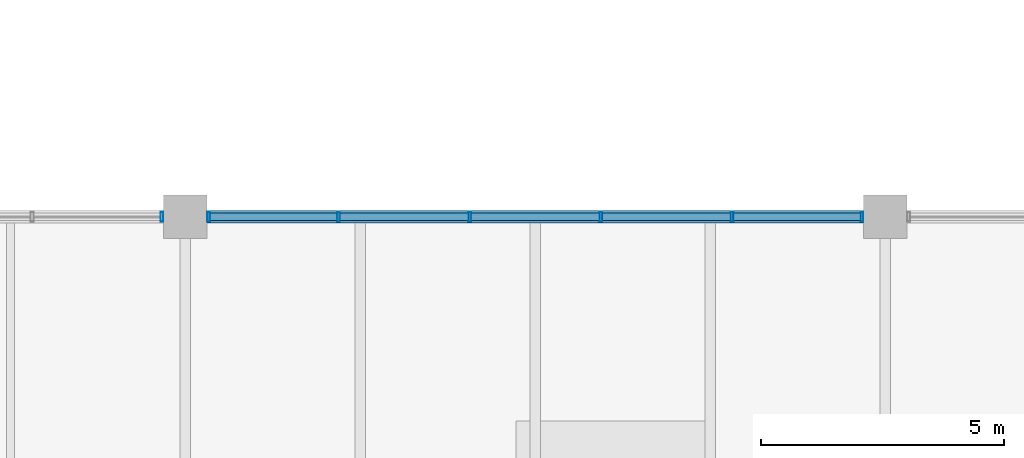
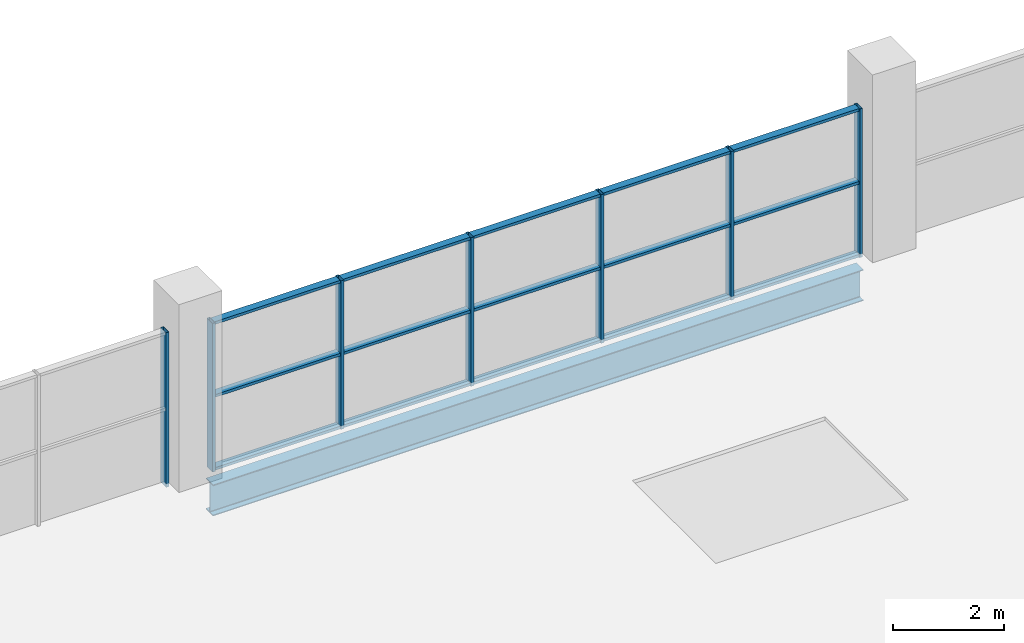
# One storey, part 27 of 93: 22 members, 1 beam, 2 elements without a shape of their own.
"""IFC4 building model written with IfcOpenShell, lengths in metres."""

from ifc_helpers import new_model, si_unit, direction, frame, origin, origin_2d, place, context, subcontext, project, spatial, hollow_rectangle, i_section, extrude, material, material_profile, profile_set, type_object, element, aggregate, save


model = new_model("IFC4")

# Units and contexts
model_context = context("Model", 3, precision=1e-05, world=origin(), true_north=direction((0.0, 1.0)))
body_context = subcontext(model_context, "Body", "Model", "MODEL_VIEW")
ifc_project = project(units=[si_unit("LENGTHUNIT", "METRE"), si_unit("AREAUNIT", "SQUARE_METRE"), si_unit("VOLUMEUNIT", "CUBIC_METRE"), si_unit("PLANEANGLEUNIT", "RADIAN"), si_unit("MASSUNIT", "GRAM", prefix="KILO"), si_unit("THERMODYNAMICTEMPERATUREUNIT", "KELVIN")], contexts=[model_context])

# Site, building, storey
site_placement = place(None, origin())
site = spatial("IfcSite", under=ifc_project, at=site_placement, CompositionType="ELEMENT")
building_placement = place(site_placement, origin())
building = spatial("IfcBuilding", under=site, at=building_placement, Name="Nduvali Passage Aquatics Centre", CompositionType="ELEMENT")
storey_placement = place(building_placement, frame((0.0, 0.0, 9.0)))
storey = spatial("IfcBuildingStorey", under=building, at=storey_placement, Name="L02", CompositionType="ELEMENT", Elevation=9.0)

# Curtain wall, member
ifc_material_1 = material(Name="Aluminium EN AW-6063 T6", Category="aluminium")
curtain_wall_type = type_object("IfcCurtainWallType", Name="ENV-CW-CLER", PredefinedType="NOTDEFINED", material=ifc_material_1)
curtain_wall_1_placement = place(storey_placement, origin())
curtain_wall_1 = element("IfcCurtainWall", 1, at=curtain_wall_1_placement, inside=storey, type_object=curtain_wall_type, Name="L02 South Pool Hall Eave Clerestory 050", PredefinedType="NOTDEFINED")
ifc_material_profile_1 = material_profile(ifc_material_1, hollow_rectangle(XDim=0.06005859375, YDim=0.199951171875, WallThickness=0.00390625, at=origin_2d()), Name="ALU MULLION 60x200x4")
ifc_profile_set_1 = profile_set([ifc_material_profile_1], Name="Aluminium EN AW-6063 T6")
member_type_1 = type_object("IfcMemberType", Name="ENV-MEM-MUL80", PredefinedType="MULLION", material=ifc_profile_set_1)
member_1_placement = place(storey_placement, frame((96.719970703125, 25.199951171875, 0.0), z_axis=(0.0, 0.0, 1.0), x_axis=(1.0, 0.0, 0.0)))
member_1 = element("IfcMember", 2, at=member_1_placement, type_object=member_type_1, Name="South Pool Hall Eave Clerestory Mullion 6", PredefinedType="MULLION", context=body_context, shape_type="SweptSolid", body=[
    extrude(hollow_rectangle(XDim=0.06005859375, YDim=0.199951171875, WallThickness=0.00390625, at=origin_2d()), origin(), (0.0, 0.0, 1.0), 3.39404296875),
])
aggregate(curtain_wall_1, [member_1])

# Curtain wall, members
curtain_wall_2_placement = place(storey_placement, origin())
curtain_wall_2 = element("IfcCurtainWall", 3, at=curtain_wall_2_placement, inside=storey, type_object=curtain_wall_type, Name="L02 South Pool Hall Eave Clerestory 051", PredefinedType="NOTDEFINED")
member_2_placement = place(storey_placement, frame((97.679931640625, 25.199951171875, 0.0), z_axis=(0.0, 0.0, 1.0), x_axis=(1.0, 0.0, 0.0)))
member_2 = element("IfcMember", 4, at=member_2_placement, type_object=member_type_1, Name="South Pool Hall Eave Clerestory Mullion 1", PredefinedType="MULLION", context=body_context, shape_type="SweptSolid", body=[
    extrude(hollow_rectangle(XDim=0.06005859375, YDim=0.199951171875, WallThickness=0.00390625, at=origin_2d()), origin(), (0.0, 0.0, 1.0), 3.2626953125),
])
member_3_placement = place(storey_placement, frame((100.35009765625, 25.199951171875, 0.0), z_axis=(0.0, 0.0, 1.0), x_axis=(1.0, 0.0, 0.0)))
member_3 = element("IfcMember", 5, at=member_3_placement, type_object=member_type_1, Name="South Pool Hall Eave Clerestory Mullion 2", PredefinedType="MULLION", context=body_context, shape_type="SweptSolid", body=[
    extrude(hollow_rectangle(XDim=0.06005859375, YDim=0.199951171875, WallThickness=0.00390625, at=origin_2d()), origin(), (0.0, 0.0, 1.0), 3.2626953125),
])
member_4_placement = place(storey_placement, frame((103.050048828125, 25.199951171875, 0.0), z_axis=(0.0, 0.0, 1.0), x_axis=(1.0, 0.0, 0.0)))
member_4 = element("IfcMember", 6, at=member_4_placement, type_object=member_type_1, Name="South Pool Hall Eave Clerestory Mullion 3", PredefinedType="MULLION", context=body_context, shape_type="SweptSolid", body=[
    extrude(hollow_rectangle(XDim=0.06005859375, YDim=0.199951171875, WallThickness=0.00390625, at=origin_2d()), origin(), (0.0, 0.0, 1.0), 3.2626953125),
])
member_5_placement = place(storey_placement, frame((105.75, 25.199951171875, 0.0), z_axis=(0.0, 0.0, 1.0), x_axis=(1.0, 0.0, 0.0)))
member_5 = element("IfcMember", 7, at=member_5_placement, type_object=member_type_1, Name="South Pool Hall Eave Clerestory Mullion 4", PredefinedType="MULLION", context=body_context, shape_type="SweptSolid", body=[
    extrude(hollow_rectangle(XDim=0.06005859375, YDim=0.199951171875, WallThickness=0.00390625, at=origin_2d()), origin(), (0.0, 0.0, 1.0), 3.2626953125),
])
member_6_placement = place(storey_placement, frame((108.449951171875, 25.199951171875, 0.0), z_axis=(0.0, 0.0, 1.0), x_axis=(1.0, 0.0, 0.0)))
member_6 = element("IfcMember", 8, at=member_6_placement, type_object=member_type_1, Name="South Pool Hall Eave Clerestory Mullion 5", PredefinedType="MULLION", context=body_context, shape_type="SweptSolid", body=[
    extrude(hollow_rectangle(XDim=0.06005859375, YDim=0.199951171875, WallThickness=0.00390625, at=origin_2d()), origin(), (0.0, 0.0, 1.0), 3.2626953125),
])
member_7_placement = place(storey_placement, frame((111.1201171875, 25.199951171875, 0.0), z_axis=(0.0, 0.0, 1.0), x_axis=(1.0, 0.0, 0.0)))
member_7 = element("IfcMember", 9, at=member_7_placement, type_object=member_type_1, Name="South Pool Hall Eave Clerestory Mullion 6", PredefinedType="MULLION", context=body_context, shape_type="SweptSolid", body=[
    extrude(hollow_rectangle(XDim=0.06005859375, YDim=0.199951171875, WallThickness=0.00390625, at=origin_2d()), origin(), (0.0, 0.0, 1.0), 3.2626953125),
])
ifc_material_profile_2 = material_profile(ifc_material_1, hollow_rectangle(XDim=0.14990234375, YDim=0.06005859375, WallThickness=0.00390625, at=origin_2d()), Name="ALU TRANSOM 150x60x4")
ifc_profile_set_2 = profile_set([ifc_material_profile_2], Name="Aluminium EN AW-6063 T6")
member_type_2 = type_object("IfcMemberType", Name="ENV-MEM-TRN80", PredefinedType="USERDEFINED", material=ifc_profile_set_2)
member_8_placement = place(storey_placement, frame((97.7099609375, 25.199951171875, 0.030029296875), z_axis=(1.0, 0.0, 0.0), x_axis=(0.0, 1.0, 0.0)))
member_8 = element("IfcMember", 10, at=member_8_placement, type_object=member_type_2, Name="South Pool Hall Eave Clerestory Transom B1-R0", ObjectType="TRANSOM", PredefinedType="USERDEFINED", context=body_context, shape_type="SweptSolid", body=[
    extrude(hollow_rectangle(XDim=0.14990234375, YDim=0.06005859375, WallThickness=0.00390625, at=origin_2d()), origin(), (0.0, 0.0, 1.0), 2.610107421875),
])
member_9_placement = place(storey_placement, frame((97.7099609375, 25.199951171875, 1.63134765625), z_axis=(1.0, 0.0, 0.0), x_axis=(0.0, 1.0, 0.0)))
member_9 = element("IfcMember", 11, at=member_9_placement, type_object=member_type_2, Name="South Pool Hall Eave Clerestory Transom B1-R1", ObjectType="TRANSOM", PredefinedType="USERDEFINED", context=body_context, shape_type="SweptSolid", body=[
    extrude(hollow_rectangle(XDim=0.14990234375, YDim=0.06005859375, WallThickness=0.00390625, at=origin_2d()), origin(), (0.0, 0.0, 1.0), 2.610107421875),
])
member_10_placement = place(storey_placement, frame((97.7099609375, 25.199951171875, 3.232666015625), z_axis=(1.0, 0.0, 0.0), x_axis=(0.0, 1.0, 0.0)))
member_10 = element("IfcMember", 12, at=member_10_placement, type_object=member_type_2, Name="South Pool Hall Eave Clerestory Transom B1-R2", ObjectType="TRANSOM", PredefinedType="USERDEFINED", context=body_context, shape_type="SweptSolid", body=[
    extrude(hollow_rectangle(XDim=0.14990234375, YDim=0.06005859375, WallThickness=0.00390625, at=origin_2d()), origin(), (0.0, 0.0, 1.0), 2.610107421875),
])
member_11_placement = place(storey_placement, frame((100.3798828125, 25.199951171875, 0.030029296875), z_axis=(1.0, 0.0, 0.0), x_axis=(0.0, 1.0, 0.0)))
member_11 = element("IfcMember", 13, at=member_11_placement, type_object=member_type_2, Name="South Pool Hall Eave Clerestory Transom B2-R0", ObjectType="TRANSOM", PredefinedType="USERDEFINED", context=body_context, shape_type="SweptSolid", body=[
    extrude(hollow_rectangle(XDim=0.14990234375, YDim=0.06005859375, WallThickness=0.00390625, at=origin_2d()), origin(), (0.0, 0.0, 1.0), 2.64013671875),
])
member_12_placement = place(storey_placement, frame((100.3798828125, 25.199951171875, 1.63134765625), z_axis=(1.0, 0.0, 0.0), x_axis=(0.0, 1.0, 0.0)))
member_12 = element("IfcMember", 14, at=member_12_placement, type_object=member_type_2, Name="South Pool Hall Eave Clerestory Transom B2-R1", ObjectType="TRANSOM", PredefinedType="USERDEFINED", context=body_context, shape_type="SweptSolid", body=[
    extrude(hollow_rectangle(XDim=0.14990234375, YDim=0.06005859375, WallThickness=0.00390625, at=origin_2d()), origin(), (0.0, 0.0, 1.0), 2.64013671875),
])
member_13_placement = place(storey_placement, frame((100.3798828125, 25.199951171875, 3.232666015625), z_axis=(1.0, 0.0, 0.0), x_axis=(0.0, 1.0, 0.0)))
member_13 = element("IfcMember", 15, at=member_13_placement, type_object=member_type_2, Name="South Pool Hall Eave Clerestory Transom B2-R2", ObjectType="TRANSOM", PredefinedType="USERDEFINED", context=body_context, shape_type="SweptSolid", body=[
    extrude(hollow_rectangle(XDim=0.14990234375, YDim=0.06005859375, WallThickness=0.00390625, at=origin_2d()), origin(), (0.0, 0.0, 1.0), 2.64013671875),
])
member_14_placement = place(storey_placement, frame((103.080078125, 25.199951171875, 0.030029296875), z_axis=(1.0, 0.0, 0.0), x_axis=(0.0, 1.0, 0.0)))
member_14 = element("IfcMember", 16, at=member_14_placement, type_object=member_type_2, Name="South Pool Hall Eave Clerestory Transom B3-R0", ObjectType="TRANSOM", PredefinedType="USERDEFINED", context=body_context, shape_type="SweptSolid", body=[
    extrude(hollow_rectangle(XDim=0.14990234375, YDim=0.06005859375, WallThickness=0.00390625, at=origin_2d()), origin(), (0.0, 0.0, 1.0), 2.639892578125),
])
member_15_placement = place(storey_placement, frame((103.080078125, 25.199951171875, 1.63134765625), z_axis=(1.0, 0.0, 0.0), x_axis=(0.0, 1.0, 0.0)))
member_15 = element("IfcMember", 17, at=member_15_placement, type_object=member_type_2, Name="South Pool Hall Eave Clerestory Transom B3-R1", ObjectType="TRANSOM", PredefinedType="USERDEFINED", context=body_context, shape_type="SweptSolid", body=[
    extrude(hollow_rectangle(XDim=0.14990234375, YDim=0.06005859375, WallThickness=0.00390625, at=origin_2d()), origin(), (0.0, 0.0, 1.0), 2.639892578125),
])
member_16_placement = place(storey_placement, frame((103.080078125, 25.199951171875, 3.232666015625), z_axis=(1.0, 0.0, 0.0), x_axis=(0.0, 1.0, 0.0)))
member_16 = element("IfcMember", 18, at=member_16_placement, type_object=member_type_2, Name="South Pool Hall Eave Clerestory Transom B3-R2", ObjectType="TRANSOM", PredefinedType="USERDEFINED", context=body_context, shape_type="SweptSolid", body=[
    extrude(hollow_rectangle(XDim=0.14990234375, YDim=0.06005859375, WallThickness=0.00390625, at=origin_2d()), origin(), (0.0, 0.0, 1.0), 2.639892578125),
])
member_17_placement = place(storey_placement, frame((105.780029296875, 25.199951171875, 0.030029296875), z_axis=(1.0, 0.0, 0.0), x_axis=(0.0, 1.0, 0.0)))
member_17 = element("IfcMember", 19, at=member_17_placement, type_object=member_type_2, Name="South Pool Hall Eave Clerestory Transom B4-R0", ObjectType="TRANSOM", PredefinedType="USERDEFINED", context=body_context, shape_type="SweptSolid", body=[
    extrude(hollow_rectangle(XDim=0.14990234375, YDim=0.06005859375, WallThickness=0.00390625, at=origin_2d()), origin(), (0.0, 0.0, 1.0), 2.639892578125),
])
member_18_placement = place(storey_placement, frame((105.780029296875, 25.199951171875, 1.63134765625), z_axis=(1.0, 0.0, 0.0), x_axis=(0.0, 1.0, 0.0)))
member_18 = element("IfcMember", 20, at=member_18_placement, type_object=member_type_2, Name="South Pool Hall Eave Clerestory Transom B4-R1", ObjectType="TRANSOM", PredefinedType="USERDEFINED", context=body_context, shape_type="SweptSolid", body=[
    extrude(hollow_rectangle(XDim=0.14990234375, YDim=0.06005859375, WallThickness=0.00390625, at=origin_2d()), origin(), (0.0, 0.0, 1.0), 2.639892578125),
])
member_19_placement = place(storey_placement, frame((105.780029296875, 25.199951171875, 3.232666015625), z_axis=(1.0, 0.0, 0.0), x_axis=(0.0, 1.0, 0.0)))
member_19 = element("IfcMember", 21, at=member_19_placement, type_object=member_type_2, Name="South Pool Hall Eave Clerestory Transom B4-R2", ObjectType="TRANSOM", PredefinedType="USERDEFINED", context=body_context, shape_type="SweptSolid", body=[
    extrude(hollow_rectangle(XDim=0.14990234375, YDim=0.06005859375, WallThickness=0.00390625, at=origin_2d()), origin(), (0.0, 0.0, 1.0), 2.639892578125),
])
member_20_placement = place(storey_placement, frame((108.47998046875, 25.199951171875, 0.030029296875), z_axis=(1.0, 0.0, 0.0), x_axis=(0.0, 1.0, 0.0)))
member_20 = element("IfcMember", 22, at=member_20_placement, type_object=member_type_2, Name="South Pool Hall Eave Clerestory Transom B5-R0", ObjectType="TRANSOM", PredefinedType="USERDEFINED", context=body_context, shape_type="SweptSolid", body=[
    extrude(hollow_rectangle(XDim=0.14990234375, YDim=0.06005859375, WallThickness=0.00390625, at=origin_2d()), origin(), (0.0, 0.0, 1.0), 2.610107421875),
])
member_21_placement = place(storey_placement, frame((108.47998046875, 25.199951171875, 1.63134765625), z_axis=(1.0, 0.0, 0.0), x_axis=(0.0, 1.0, 0.0)))
member_21 = element("IfcMember", 23, at=member_21_placement, type_object=member_type_2, Name="South Pool Hall Eave Clerestory Transom B5-R1", ObjectType="TRANSOM", PredefinedType="USERDEFINED", context=body_context, shape_type="SweptSolid", body=[
    extrude(hollow_rectangle(XDim=0.14990234375, YDim=0.06005859375, WallThickness=0.00390625, at=origin_2d()), origin(), (0.0, 0.0, 1.0), 2.610107421875),
])
member_22_placement = place(storey_placement, frame((108.47998046875, 25.199951171875, 3.232666015625), z_axis=(1.0, 0.0, 0.0), x_axis=(0.0, 1.0, 0.0)))
member_22 = element("IfcMember", 24, at=member_22_placement, type_object=member_type_2, Name="South Pool Hall Eave Clerestory Transom B5-R2", ObjectType="TRANSOM", PredefinedType="USERDEFINED", context=body_context, shape_type="SweptSolid", body=[
    extrude(hollow_rectangle(XDim=0.14990234375, YDim=0.06005859375, WallThickness=0.00390625, at=origin_2d()), origin(), (0.0, 0.0, 1.0), 2.610107421875),
])
aggregate(curtain_wall_2, [member_2, member_3, member_4, member_5, member_6, member_7, member_8, member_9, member_10, member_11, member_12, member_13, member_14, member_15, member_16, member_17, member_18, member_19, member_20, member_21, member_22])

# Beam
ifc_material_2 = material(Name="Steel S355", Category="steel")
ifc_material_profile_3 = material_profile(ifc_material_2, i_section(OverallWidth=0.253662109375, OverallDepth=0.68359375, WebThickness=0.012451171875, FlangeThickness=0.01904296875, FilletRadius=0.01513671875, at=origin_2d()), Name="UKB 686x254x140")
ifc_profile_set_3 = profile_set([ifc_material_profile_3], Name="Steel S355")
beam_type = type_object("IfcBeamType", Name="STR-BM-UKB686-EXT", PredefinedType="BEAM", material=ifc_profile_set_3)
beam_placement = place(storey_placement, frame((97.64990234375, 25.199951171875, -0.605712890625), z_axis=(1.0, 0.0, 0.0), x_axis=(0.0, 1.0, 0.0)))
element("IfcBeam", 25, at=beam_placement, inside=storey, type_object=beam_type, Name="L02 Primary X-Girder B4E-0879", PredefinedType="BEAM", context=body_context, shape_type="SweptSolid", body=[
    extrude(i_section(OverallWidth=0.253662109375, OverallDepth=0.68359375, WebThickness=0.012451171875, FlangeThickness=0.01904296875, FilletRadius=0.01513671875, at=origin_2d()), origin(), (0.0, 0.0, 1.0), 13.5),
])

save(model, "model.ifc")
